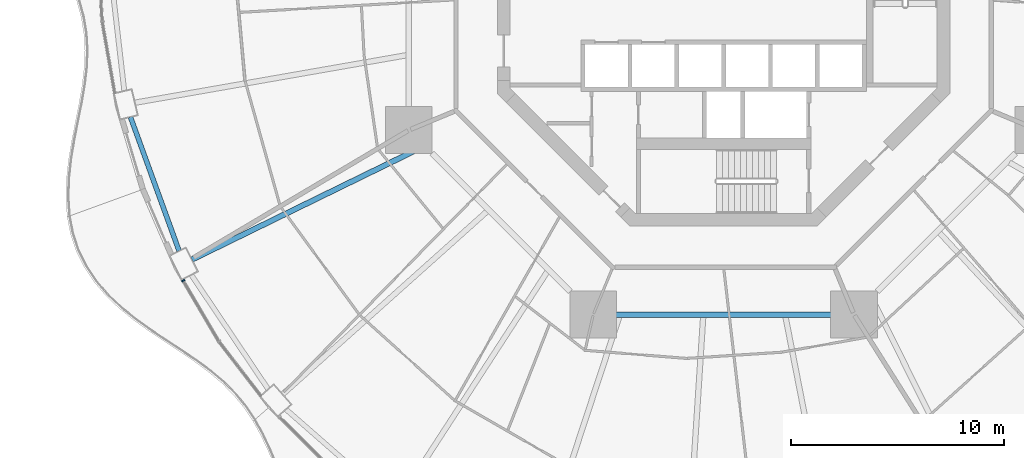
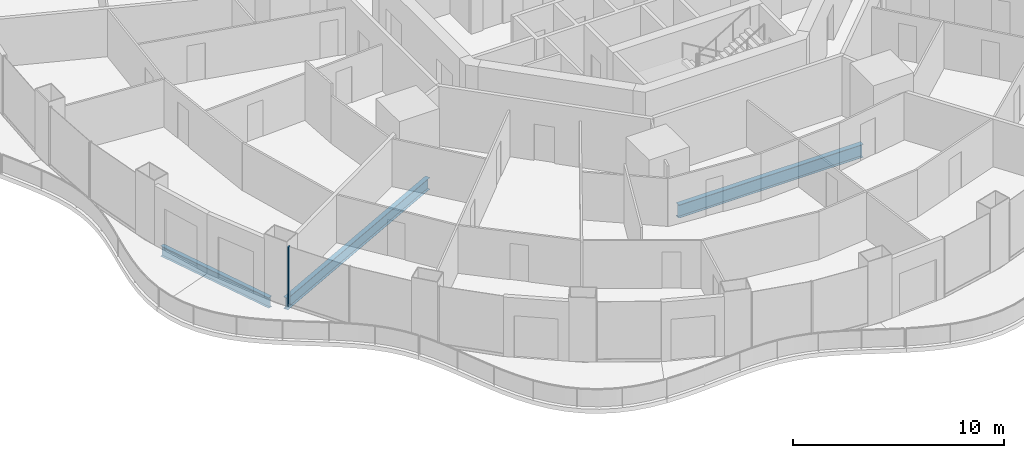
# One storey, part 3 of 22: 3 beams, 1 member, 1 element without a shape of its own.
"""IFC4 building model written with IfcOpenShell, lengths in metres."""

from ifc_helpers import new_model, si_unit, direction, frame, origin, origin_2d, place, context, subcontext, project, spatial, rectangle, i_section, extrude, material, layer, layer_set, material_profile, profile_set, type_object, element, aggregate, save


model = new_model("IFC4")

# Units and contexts
model_context = context("Model", 3, precision=1e-05, world=origin(), true_north=direction((0.0, 1.0)))
body_context = subcontext(model_context, "Body", "Model", "MODEL_VIEW")
ifc_project = project(units=[si_unit("LENGTHUNIT", "METRE"), si_unit("AREAUNIT", "SQUARE_METRE"), si_unit("VOLUMEUNIT", "CUBIC_METRE"), si_unit("PLANEANGLEUNIT", "RADIAN"), si_unit("MASSUNIT", "GRAM", prefix="KILO")], contexts=[model_context])

# Site, building, storey
site_placement = place(None, origin())
site = spatial("IfcSite", under=ifc_project, at=site_placement, CompositionType="ELEMENT")
building_placement = place(site_placement, origin())
building = spatial("IfcBuilding", under=site, at=building_placement, Name="Nagisa Residences", CompositionType="ELEMENT")
storey_placement = place(building_placement, frame((0.0, 0.0, 84.39990234375)))
storey = spatial("IfcBuildingStorey", under=building, at=storey_placement, Name="L20", CompositionType="ELEMENT", Elevation=84.39990234375)

# Curtain wall, member
ifc_material_1 = material(Name="Concrete-coloured aluminium curtain wall system", Category="concrete")
ifc_layer = layer(ifc_material_1, 0.159912109375)
ifc_layer_set = layer_set([ifc_layer], Name="CW1 CURTAIN WALL")
curtain_wall_type = type_object("IfcCurtainWallType", Name="CW1 CURTAIN WALL", PredefinedType="NOTDEFINED", material=ifc_layer_set)
curtain_wall_placement = place(storey_placement, origin())
curtain_wall = element("IfcCurtainWall", 1, at=curtain_wall_placement, inside=storey, type_object=curtain_wall_type, Name="cw:CW1:L20:28", PredefinedType="NOTDEFINED")
ifc_material_2 = material(Name="Concrete-coloured aluminium", Category="concrete")
ifc_material_profile_1 = material_profile(ifc_material_2, rectangle(XDim=0.159912109375, YDim=0.06005859375, at=origin_2d()), Name="CW1 MULLION 160x60")
ifc_profile_set_1 = profile_set([ifc_material_profile_1], Name="Concrete-coloured aluminium")
member_type = type_object("IfcMemberType", Name="CW1 MULLION 160x60", PredefinedType="MULLION", material=ifc_profile_set_1)
member_placement = place(storey_placement, frame((-25.371337890625, -13.185791015625, 0.0), z_axis=(0.0, 0.0, 1.0), x_axis=(0.862328898214, 0.506348567002, 0.0)))
member = element("IfcMember", 2, at=member_placement, type_object=member_type, Name="CW1 mullion", PredefinedType="MULLION", context=body_context, shape_type="SweptSolid", body=[
    extrude(rectangle(XDim=0.159912109375, YDim=0.06005859375, at=origin_2d()), origin(), (0.0, 0.0, 1.0), 3.440185546875),
])
aggregate(curtain_wall, [member])

# Beams
ifc_material_3 = material(Name="Steel ASTM A572 Gr 50", Category="steel")
ifc_material_profile_2 = material_profile(ifc_material_3, i_section(OverallWidth=0.264892578125, OverallDepth=0.7529296875, WebThickness=0.01318359375, FlangeThickness=0.01708984375, at=origin_2d()), Name="W760x147")
ifc_profile_set_2 = profile_set([ifc_material_profile_2], Name="Steel ASTM A572 Gr 50")
beam_type_1 = type_object("IfcBeamType", Name="Inner ring beam W760x147", PredefinedType="BEAM", material=ifc_profile_set_2)
beam_1_placement = place(storey_placement, frame((-5.04296875, -14.781982421875, -0.636474609375), z_axis=(1.0, 0.0, 0.0), x_axis=(0.0, 1.0, 0.0)))
element("IfcBeam", 3, at=beam_1_placement, inside=storey, type_object=beam_type_1, Name="beam:L20:ib6", PredefinedType="BEAM", context=body_context, shape_type="SweptSolid", body=[
    extrude(i_section(OverallWidth=0.264892578125, OverallDepth=0.7529296875, WebThickness=0.01318359375, FlangeThickness=0.01708984375, at=origin_2d()), origin(), (0.0, 0.0, 1.0), 10.0859375),
])
ifc_material_4 = material(Name="Steel ASTM A572 Gr 50", Category="steel")
ifc_material_profile_3 = material_profile(ifc_material_4, i_section(OverallWidth=0.22802734375, OverallDepth=0.60302734375, WebThickness=0.010498046875, FlangeThickness=0.014892578125, at=origin_2d()), Name="W610x101")
ifc_profile_set_3 = profile_set([ifc_material_profile_3], Name="Steel ASTM A572 Gr 50")
beam_type_2 = type_object("IfcBeamType", Name="Perimeter ring beam W610x101", PredefinedType="BEAM", material=ifc_profile_set_3)
beam_2_placement = place(storey_placement, frame((-27.851806640625, -5.505859375, -0.5615234375), z_axis=(0.341365002286, -0.939930814057, 0.0), x_axis=(0.939930814057, 0.341365002286, 0.0)))
element("IfcBeam", 4, at=beam_2_placement, inside=storey, type_object=beam_type_2, Name="beam:L20:pb14", PredefinedType="BEAM", context=body_context, shape_type="SweptSolid", body=[
    extrude(i_section(OverallWidth=0.22802734375, OverallDepth=0.60302734375, WebThickness=0.010498046875, FlangeThickness=0.014892578125, at=origin_2d()), origin(), (0.0, 0.0, 1.0), 6.689208984375),
])
ifc_material_5 = material(Name="Steel ASTM A572 Gr 50", Category="steel")
ifc_material_profile_4 = material_profile(ifc_material_5, i_section(OverallWidth=0.2529296875, OverallDepth=0.677978515625, WebThickness=0.01171875, FlangeThickness=0.016357421875, at=origin_2d()), Name="W690x125")
ifc_profile_set_4 = profile_set([ifc_material_profile_4], Name="Steel ASTM A572 Gr 50")
beam_type_3 = type_object("IfcBeamType", Name="Radial beam W690x125", PredefinedType="BEAM", material=ifc_profile_set_4)
beam_3_placement = place(storey_placement, frame((-24.965087890625, -12.200927734375, -0.598876953125), z_axis=(0.898446773802, 0.439082446296, 0.0), x_axis=(-0.439082446296, 0.898446773802, 0.0)))
element("IfcBeam", 5, at=beam_3_placement, inside=storey, type_object=beam_type_3, Name="beam:L20:rb15", PredefinedType="BEAM", context=body_context, shape_type="SweptSolid", body=[
    extrude(i_section(OverallWidth=0.2529296875, OverallDepth=0.677978515625, WebThickness=0.01171875, FlangeThickness=0.016357421875, at=origin_2d()), origin(), (0.0, 0.0, 1.0), 12.037353515625),
])

save(model, "model.ifc")
